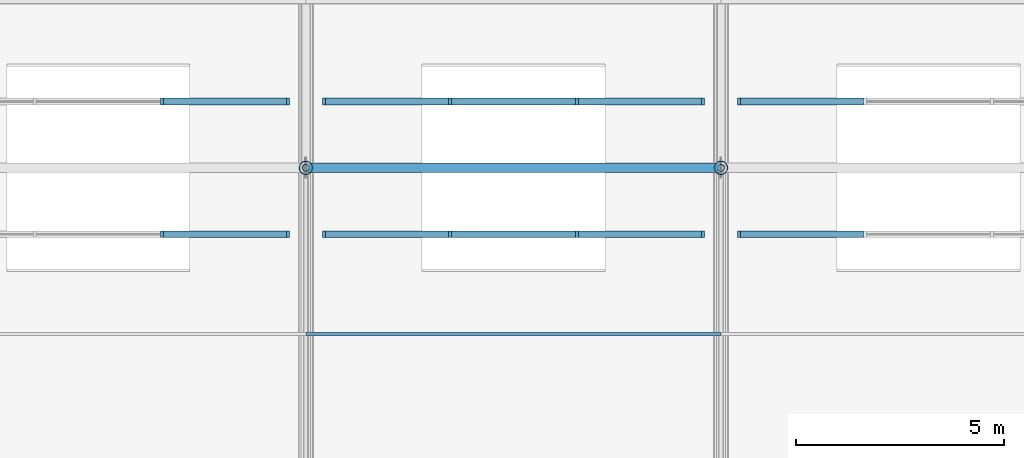
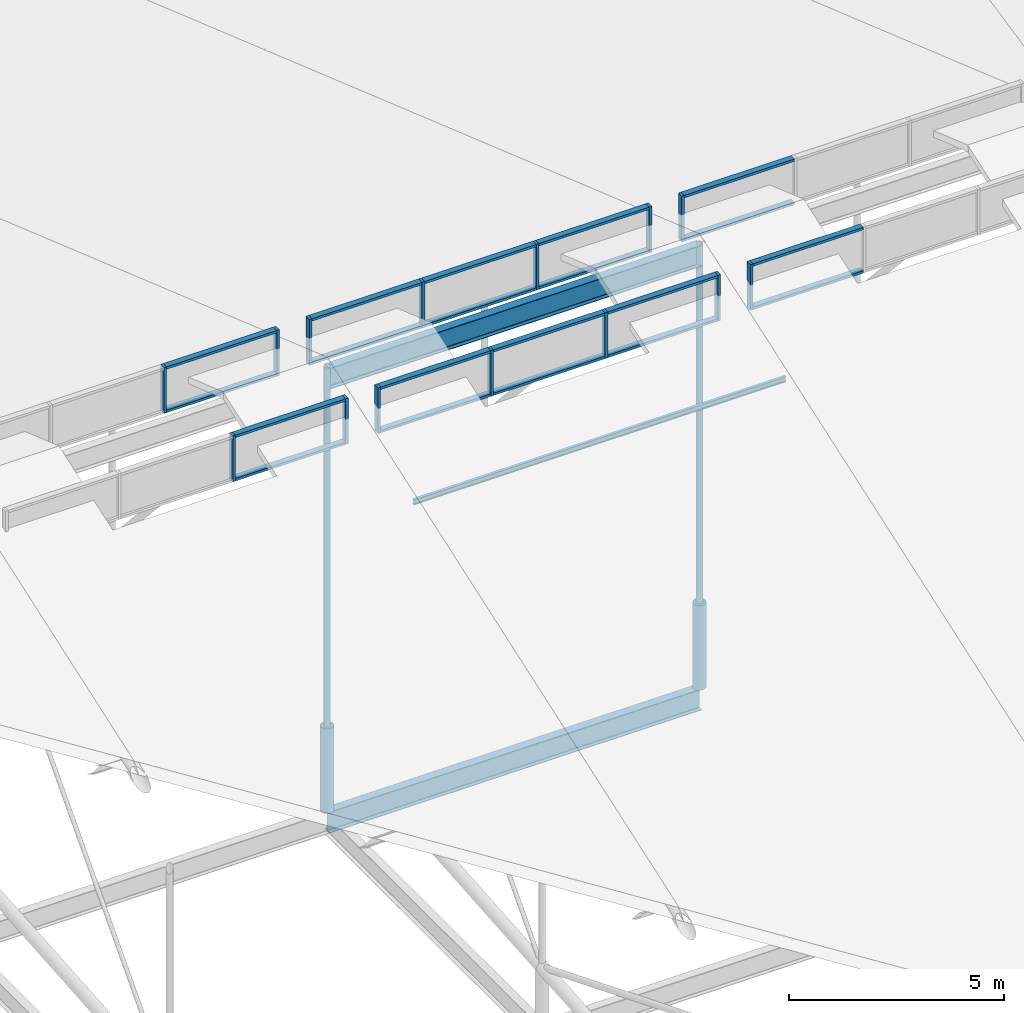
# One storey, part 41 of 93: 39 members, 2 beams, 6 elements without a shape of their own.
"""IFC4 building model written with IfcOpenShell, lengths in metres."""

from ifc_helpers import new_model, si_unit, derived_unit, direction, frame, origin, origin_2d_with_axis, place, context, subcontext, project, spatial, rectangle, hollow_circle, i_section, extrude, material, material_profile, profile_set, type_object, element, aggregate, save


model = new_model("IFC4")

# Units and contexts
model_context = context("Model", 3, precision=1e-05, world=origin(), true_north=direction((0.0, 1.0)))
body_context = subcontext(model_context, "Body", "Model", "MODEL_VIEW")
ifc_project = project(units=[si_unit("LENGTHUNIT", "METRE"), si_unit("AREAUNIT", "SQUARE_METRE"), si_unit("VOLUMEUNIT", "CUBIC_METRE"), si_unit("PLANEANGLEUNIT", "RADIAN"), si_unit("MASSUNIT", "GRAM", prefix="KILO"), derived_unit("THERMALTRANSMITTANCEUNIT", [(si_unit("POWERUNIT", "WATT"), 1), (si_unit("LENGTHUNIT", "METRE"), -2), (si_unit("THERMODYNAMICTEMPERATUREUNIT", "KELVIN"), -1)])], contexts=[model_context])

# Site, building, storey
site_placement = place(None, origin())
site = spatial("IfcSite", under=ifc_project, at=site_placement, CompositionType="ELEMENT")
building_placement = place(site_placement, origin())
building = spatial("IfcBuilding", under=site, at=building_placement, Name="Cinnabar Yard Market Hall", CompositionType="ELEMENT")
storey_placement = place(building_placement, frame((0.0, 0.0, 23.800048828125)))
storey = spatial("IfcBuildingStorey", under=building, at=storey_placement, Name="ROOF", CompositionType="ELEMENT", Elevation=23.800048828125)

# Beams
ifc_material_1 = material(Name="Steel Grade 300 (300 MPa)", Category="steel")
ifc_material_profile_1 = material_profile(ifc_material_1, i_section(OverallWidth=0.22802734375, OverallDepth=0.60205078125, WebThickness=0.010498046875, FlangeThickness=0.014892578125, FilletRadius=0.013916015625, at=origin_2d_with_axis()), Name="610UB101")
ifc_profile_set_1 = profile_set([ifc_material_profile_1], Name="Steel Grade 300 (300 MPa)")
beam_type = type_object("IfcBeamType", Name="BM-B02", PredefinedType="BEAM", material=ifc_profile_set_1)
for number, where, z_axis, x_axis, name in (
    (1, (126.0, 44.0, -9.700927734375), (1.0, 0.0, 0.0), (0.0, 1.0, 0.0), "Hall Longitudinal Tie Girder 00393"),
    (2, (126.0, 44.0, 2.89892578125), (1.0, 0.0, 0.0), (0.0, 1.0, 0.0), "Market Hall Ridge Girder 01596"),
):
    element("IfcBeam", number, at=place(storey_placement, frame(where, z_axis=z_axis, x_axis=x_axis)), inside=storey, type_object=beam_type, Name=name, PredefinedType="BEAM", context=body_context, shape_type="SweptSolid", body=[
        extrude(i_section(OverallWidth=0.22802734375, OverallDepth=0.60205078125, WebThickness=0.010498046875, FlangeThickness=0.014892578125, FilletRadius=0.013916015625, at=origin_2d_with_axis()), origin(), (0.0, 0.0, 1.0), 10.0),
    ])

# Curtain wall, members
ifc_material_2 = material(Name="Anodised aluminium ridge clerestory", Category="aluminium")
curtain_wall_type = type_object("IfcCurtainWallType", Name="CW-CWR092x13", PredefinedType="NOTDEFINED", material=ifc_material_2)
curtain_wall_1_placement = place(storey_placement, origin())
curtain_wall_1 = element("IfcCurtainWall", 3, at=curtain_wall_1_placement, inside=storey, type_object=curtain_wall_type, Name="South Ridge Clerestory 4", PredefinedType="NOTDEFINED")
ifc_material_3 = material(Name="Anodised bronze aluminium", Category="aluminium")
ifc_material_profile_2 = material_profile(ifc_material_3, rectangle(XDim=0.159912109375, YDim=0.070068359375, at=origin_2d_with_axis()), Name="MUL-CWR")
ifc_profile_set_2 = profile_set([ifc_material_profile_2], Name="Anodised bronze aluminium")
member_type_1 = type_object("IfcMemberType", Name="CWM-CWR", PredefinedType="MULLION", material=ifc_profile_set_2)
member_1_placement = place(storey_placement, frame((122.533447265625, 42.39990234375, 2.14990234375), z_axis=(0.0, 0.0, 1.0), x_axis=(0.0, 1.0, 0.0)))
member_1 = element("IfcMember", 4, at=member_1_placement, type_object=member_type_1, Name="CWR092x13 mullion 3", PredefinedType="MULLION", context=body_context, shape_type="SweptSolid", body=[
    extrude(rectangle(XDim=0.159912109375, YDim=0.070068359375, at=origin_2d_with_axis()), origin(), (0.0, 0.0, 1.0), 1.300048828125),
])
member_2_placement = place(storey_placement, frame((125.56494140625, 42.39990234375, 2.14990234375), z_axis=(0.0, 0.0, 1.0), x_axis=(0.0, 1.0, 0.0)))
member_2 = element("IfcMember", 5, at=member_2_placement, type_object=member_type_1, Name="CWR092x13 mullion 4", PredefinedType="MULLION", context=body_context, shape_type="SweptSolid", body=[
    extrude(rectangle(XDim=0.159912109375, YDim=0.070068359375, at=origin_2d_with_axis()), origin(), (0.0, 0.0, 1.0), 1.300048828125),
])

curtain_wall_2_placement = place(storey_placement, origin())
curtain_wall_2 = element("IfcCurtainWall", 6, at=curtain_wall_2_placement, inside=storey, type_object=curtain_wall_type, Name="North Ridge Clerestory 4", PredefinedType="NOTDEFINED")
member_3_placement = place(storey_placement, frame((125.56494140625, 45.60009765625, 2.14990234375), z_axis=(0.0, 0.0, 1.0), x_axis=(0.0, -1.0, 0.0)))
member_3 = element("IfcMember", 7, at=member_3_placement, type_object=member_type_1, Name="CWR092x13 mullion 1", PredefinedType="MULLION", context=body_context, shape_type="SweptSolid", body=[
    extrude(rectangle(XDim=0.159912109375, YDim=0.070068359375, at=origin_2d_with_axis()), origin(), (0.0, 0.0, 1.0), 1.300048828125),
])
member_4_placement = place(storey_placement, frame((122.533447265625, 45.60009765625, 2.14990234375), z_axis=(0.0, 0.0, 1.0), x_axis=(0.0, -1.0, 0.0)))
member_4 = element("IfcMember", 8, at=member_4_placement, type_object=member_type_1, Name="CWR092x13 mullion 2", PredefinedType="MULLION", context=body_context, shape_type="SweptSolid", body=[
    extrude(rectangle(XDim=0.159912109375, YDim=0.070068359375, at=origin_2d_with_axis()), origin(), (0.0, 0.0, 1.0), 1.300048828125),
])

curtain_wall_3_placement = place(storey_placement, origin())
curtain_wall_3 = element("IfcCurtainWall", 9, at=curtain_wall_3_placement, inside=storey, type_object=curtain_wall_type, Name="South Ridge Clerestory 5", PredefinedType="NOTDEFINED")
member_5_placement = place(storey_placement, frame((126.43505859375, 42.39990234375, 2.14990234375), z_axis=(0.0, 0.0, 1.0), x_axis=(0.0, 1.0, 0.0)))
member_5 = element("IfcMember", 10, at=member_5_placement, type_object=member_type_1, Name="CWR092x13 mullion 1", PredefinedType="MULLION", context=body_context, shape_type="SweptSolid", body=[
    extrude(rectangle(XDim=0.159912109375, YDim=0.070068359375, at=origin_2d_with_axis()), origin(), (0.0, 0.0, 1.0), 1.300048828125),
])
member_6_placement = place(storey_placement, frame((129.466552734375, 42.39990234375, 2.14990234375), z_axis=(0.0, 0.0, 1.0), x_axis=(0.0, 1.0, 0.0)))
member_6 = element("IfcMember", 11, at=member_6_placement, type_object=member_type_1, Name="CWR092x13 mullion 2", PredefinedType="MULLION", context=body_context, shape_type="SweptSolid", body=[
    extrude(rectangle(XDim=0.159912109375, YDim=0.070068359375, at=origin_2d_with_axis()), origin(), (0.0, 0.0, 1.0), 1.300048828125),
])
member_7_placement = place(storey_placement, frame((132.533447265625, 42.39990234375, 2.14990234375), z_axis=(0.0, 0.0, 1.0), x_axis=(0.0, 1.0, 0.0)))
member_7 = element("IfcMember", 12, at=member_7_placement, type_object=member_type_1, Name="CWR092x13 mullion 3", PredefinedType="MULLION", context=body_context, shape_type="SweptSolid", body=[
    extrude(rectangle(XDim=0.159912109375, YDim=0.070068359375, at=origin_2d_with_axis()), origin(), (0.0, 0.0, 1.0), 1.300048828125),
])
member_8_placement = place(storey_placement, frame((135.56494140625, 42.39990234375, 2.14990234375), z_axis=(0.0, 0.0, 1.0), x_axis=(0.0, 1.0, 0.0)))
member_8 = element("IfcMember", 13, at=member_8_placement, type_object=member_type_1, Name="CWR092x13 mullion 4", PredefinedType="MULLION", context=body_context, shape_type="SweptSolid", body=[
    extrude(rectangle(XDim=0.159912109375, YDim=0.070068359375, at=origin_2d_with_axis()), origin(), (0.0, 0.0, 1.0), 1.300048828125),
])

curtain_wall_4_placement = place(storey_placement, origin())
curtain_wall_4 = element("IfcCurtainWall", 14, at=curtain_wall_4_placement, inside=storey, type_object=curtain_wall_type, Name="North Ridge Clerestory 5", PredefinedType="NOTDEFINED")
member_9_placement = place(storey_placement, frame((135.56494140625, 45.60009765625, 2.14990234375), z_axis=(0.0, 0.0, 1.0), x_axis=(0.0, -1.0, 0.0)))
member_9 = element("IfcMember", 15, at=member_9_placement, type_object=member_type_1, Name="CWR092x13 mullion 1", PredefinedType="MULLION", context=body_context, shape_type="SweptSolid", body=[
    extrude(rectangle(XDim=0.159912109375, YDim=0.070068359375, at=origin_2d_with_axis()), origin(), (0.0, 0.0, 1.0), 1.300048828125),
])
member_10_placement = place(storey_placement, frame((132.533447265625, 45.60009765625, 2.14990234375), z_axis=(0.0, 0.0, 1.0), x_axis=(0.0, -1.0, 0.0)))
member_10 = element("IfcMember", 16, at=member_10_placement, type_object=member_type_1, Name="CWR092x13 mullion 2", PredefinedType="MULLION", context=body_context, shape_type="SweptSolid", body=[
    extrude(rectangle(XDim=0.159912109375, YDim=0.070068359375, at=origin_2d_with_axis()), origin(), (0.0, 0.0, 1.0), 1.300048828125),
])
member_11_placement = place(storey_placement, frame((129.466552734375, 45.60009765625, 2.14990234375), z_axis=(0.0, 0.0, 1.0), x_axis=(0.0, -1.0, 0.0)))
member_11 = element("IfcMember", 17, at=member_11_placement, type_object=member_type_1, Name="CWR092x13 mullion 3", PredefinedType="MULLION", context=body_context, shape_type="SweptSolid", body=[
    extrude(rectangle(XDim=0.159912109375, YDim=0.070068359375, at=origin_2d_with_axis()), origin(), (0.0, 0.0, 1.0), 1.300048828125),
])
member_12_placement = place(storey_placement, frame((126.43505859375, 45.60009765625, 2.14990234375), z_axis=(0.0, 0.0, 1.0), x_axis=(0.0, -1.0, 0.0)))
member_12 = element("IfcMember", 18, at=member_12_placement, type_object=member_type_1, Name="CWR092x13 mullion 4", PredefinedType="MULLION", context=body_context, shape_type="SweptSolid", body=[
    extrude(rectangle(XDim=0.159912109375, YDim=0.070068359375, at=origin_2d_with_axis()), origin(), (0.0, 0.0, 1.0), 1.300048828125),
])

# Curtain wall, member
curtain_wall_5_placement = place(storey_placement, origin())
curtain_wall_5 = element("IfcCurtainWall", 19, at=curtain_wall_5_placement, inside=storey, type_object=curtain_wall_type, Name="South Ridge Clerestory 6", PredefinedType="NOTDEFINED")
member_13_placement = place(storey_placement, frame((136.43505859375, 42.39990234375, 2.14990234375), z_axis=(0.0, 0.0, 1.0), x_axis=(0.0, 1.0, 0.0)))
member_13 = element("IfcMember", 20, at=member_13_placement, type_object=member_type_1, Name="CWR092x13 mullion 1", PredefinedType="MULLION", context=body_context, shape_type="SweptSolid", body=[
    extrude(rectangle(XDim=0.159912109375, YDim=0.070068359375, at=origin_2d_with_axis()), origin(), (0.0, 0.0, 1.0), 1.300048828125),
])

curtain_wall_6_placement = place(storey_placement, origin())
curtain_wall_6 = element("IfcCurtainWall", 21, at=curtain_wall_6_placement, inside=storey, type_object=curtain_wall_type, Name="North Ridge Clerestory 6", PredefinedType="NOTDEFINED")
member_14_placement = place(storey_placement, frame((136.43505859375, 45.60009765625, 2.14990234375), z_axis=(0.0, 0.0, 1.0), x_axis=(0.0, -1.0, 0.0)))
member_14 = element("IfcMember", 22, at=member_14_placement, type_object=member_type_1, Name="CWR092x13 mullion 4", PredefinedType="MULLION", context=body_context, shape_type="SweptSolid", body=[
    extrude(rectangle(XDim=0.159912109375, YDim=0.070068359375, at=origin_2d_with_axis()), origin(), (0.0, 0.0, 1.0), 1.300048828125),
])

# Member
ifc_material_profile_3 = material_profile(ifc_material_3, rectangle(XDim=0.159912109375, YDim=0.070068359375, at=origin_2d_with_axis()), Name="TRN-CWR")
ifc_profile_set_3 = profile_set([ifc_material_profile_3], Name="Anodised bronze aluminium")
member_type_2 = type_object("IfcMemberType", Name="CWT-CWR", PredefinedType="USERDEFINED", material=ifc_profile_set_3)
member_15_placement = place(storey_placement, frame((122.568359375, 42.39990234375, 2.18505859375), z_axis=(1.0, 0.0, 0.0), x_axis=(0.0, 1.0, 0.0)))
member_15 = element("IfcMember", 23, at=member_15_placement, type_object=member_type_2, Name="CWR092x13 transom 3.1", ObjectType="TRANSOM", PredefinedType="USERDEFINED", context=body_context, shape_type="SweptSolid", body=[
    extrude(rectangle(XDim=0.159912109375, YDim=0.070068359375, at=origin_2d_with_axis()), origin(), (0.0, 0.0, 1.0), 2.961669921875),
])

member_16_placement = place(storey_placement, frame((122.568359375, 42.39990234375, 3.4150390625), z_axis=(1.0, 0.0, 0.0), x_axis=(0.0, 1.0, 0.0)))
member_16 = element("IfcMember", 24, at=member_16_placement, type_object=member_type_2, Name="CWR092x13 transom 3.2", ObjectType="TRANSOM", PredefinedType="USERDEFINED", context=body_context, shape_type="SweptSolid", body=[
    extrude(rectangle(XDim=0.159912109375, YDim=0.070068359375, at=origin_2d_with_axis()), origin(), (0.0, 0.0, 1.0), 2.961669921875),
])

aggregate(curtain_wall_1, [member_1, member_2, member_15, member_16])

member_17_placement = place(storey_placement, frame((125.530029296875, 45.60009765625, 2.18505859375), z_axis=(-1.0, 0.0, 0.0), x_axis=(0.0, -1.0, 0.0)))
member_17 = element("IfcMember", 25, at=member_17_placement, type_object=member_type_2, Name="CWR092x13 transom 1.1", ObjectType="TRANSOM", PredefinedType="USERDEFINED", context=body_context, shape_type="SweptSolid", body=[
    extrude(rectangle(XDim=0.159912109375, YDim=0.070068359375, at=origin_2d_with_axis()), origin(), (0.0, 0.0, 1.0), 2.961669921875),
])

member_18_placement = place(storey_placement, frame((125.530029296875, 45.60009765625, 3.4150390625), z_axis=(-1.0, 0.0, 0.0), x_axis=(0.0, -1.0, 0.0)))
member_18 = element("IfcMember", 26, at=member_18_placement, type_object=member_type_2, Name="CWR092x13 transom 1.2", ObjectType="TRANSOM", PredefinedType="USERDEFINED", context=body_context, shape_type="SweptSolid", body=[
    extrude(rectangle(XDim=0.159912109375, YDim=0.070068359375, at=origin_2d_with_axis()), origin(), (0.0, 0.0, 1.0), 2.961669921875),
])

aggregate(curtain_wall_2, [member_3, member_4, member_17, member_18])

member_19_placement = place(storey_placement, frame((126.469970703125, 42.39990234375, 2.18505859375), z_axis=(1.0, 0.0, 0.0), x_axis=(0.0, 1.0, 0.0)))
member_19 = element("IfcMember", 27, at=member_19_placement, type_object=member_type_2, Name="CWR092x13 transom 1.1", ObjectType="TRANSOM", PredefinedType="USERDEFINED", context=body_context, shape_type="SweptSolid", body=[
    extrude(rectangle(XDim=0.159912109375, YDim=0.070068359375, at=origin_2d_with_axis()), origin(), (0.0, 0.0, 1.0), 2.961669921875),
])

member_20_placement = place(storey_placement, frame((126.469970703125, 42.39990234375, 3.4150390625), z_axis=(1.0, 0.0, 0.0), x_axis=(0.0, 1.0, 0.0)))
member_20 = element("IfcMember", 28, at=member_20_placement, type_object=member_type_2, Name="CWR092x13 transom 1.2", ObjectType="TRANSOM", PredefinedType="USERDEFINED", context=body_context, shape_type="SweptSolid", body=[
    extrude(rectangle(XDim=0.159912109375, YDim=0.070068359375, at=origin_2d_with_axis()), origin(), (0.0, 0.0, 1.0), 2.961669921875),
])

member_21_placement = place(storey_placement, frame((129.501708984375, 42.39990234375, 2.18505859375), z_axis=(1.0, 0.0, 0.0), x_axis=(0.0, 1.0, 0.0)))
member_21 = element("IfcMember", 29, at=member_21_placement, type_object=member_type_2, Name="CWR092x13 transom 2.1", ObjectType="TRANSOM", PredefinedType="USERDEFINED", context=body_context, shape_type="SweptSolid", body=[
    extrude(rectangle(XDim=0.159912109375, YDim=0.070068359375, at=origin_2d_with_axis()), origin(), (0.0, 0.0, 1.0), 2.99658203125),
])

member_22_placement = place(storey_placement, frame((129.501708984375, 42.39990234375, 3.4150390625), z_axis=(1.0, 0.0, 0.0), x_axis=(0.0, 1.0, 0.0)))
member_22 = element("IfcMember", 30, at=member_22_placement, type_object=member_type_2, Name="CWR092x13 transom 2.2", ObjectType="TRANSOM", PredefinedType="USERDEFINED", context=body_context, shape_type="SweptSolid", body=[
    extrude(rectangle(XDim=0.159912109375, YDim=0.070068359375, at=origin_2d_with_axis()), origin(), (0.0, 0.0, 1.0), 2.99658203125),
])

member_23_placement = place(storey_placement, frame((132.568359375, 42.39990234375, 2.18505859375), z_axis=(1.0, 0.0, 0.0), x_axis=(0.0, 1.0, 0.0)))
member_23 = element("IfcMember", 31, at=member_23_placement, type_object=member_type_2, Name="CWR092x13 transom 3.1", ObjectType="TRANSOM", PredefinedType="USERDEFINED", context=body_context, shape_type="SweptSolid", body=[
    extrude(rectangle(XDim=0.159912109375, YDim=0.070068359375, at=origin_2d_with_axis()), origin(), (0.0, 0.0, 1.0), 2.961669921875),
])

member_24_placement = place(storey_placement, frame((132.568359375, 42.39990234375, 3.4150390625), z_axis=(1.0, 0.0, 0.0), x_axis=(0.0, 1.0, 0.0)))
member_24 = element("IfcMember", 32, at=member_24_placement, type_object=member_type_2, Name="CWR092x13 transom 3.2", ObjectType="TRANSOM", PredefinedType="USERDEFINED", context=body_context, shape_type="SweptSolid", body=[
    extrude(rectangle(XDim=0.159912109375, YDim=0.070068359375, at=origin_2d_with_axis()), origin(), (0.0, 0.0, 1.0), 2.961669921875),
])

aggregate(curtain_wall_3, [member_5, member_6, member_7, member_8, member_19, member_20, member_21, member_22, member_23, member_24])

member_25_placement = place(storey_placement, frame((135.530029296875, 45.60009765625, 2.18505859375), z_axis=(-1.0, 0.0, 0.0), x_axis=(0.0, -1.0, 0.0)))
member_25 = element("IfcMember", 33, at=member_25_placement, type_object=member_type_2, Name="CWR092x13 transom 1.1", ObjectType="TRANSOM", PredefinedType="USERDEFINED", context=body_context, shape_type="SweptSolid", body=[
    extrude(rectangle(XDim=0.159912109375, YDim=0.070068359375, at=origin_2d_with_axis()), origin(), (0.0, 0.0, 1.0), 2.961669921875),
])

member_26_placement = place(storey_placement, frame((135.530029296875, 45.60009765625, 3.4150390625), z_axis=(-1.0, 0.0, 0.0), x_axis=(0.0, -1.0, 0.0)))
member_26 = element("IfcMember", 34, at=member_26_placement, type_object=member_type_2, Name="CWR092x13 transom 1.2", ObjectType="TRANSOM", PredefinedType="USERDEFINED", context=body_context, shape_type="SweptSolid", body=[
    extrude(rectangle(XDim=0.159912109375, YDim=0.070068359375, at=origin_2d_with_axis()), origin(), (0.0, 0.0, 1.0), 2.961669921875),
])

member_27_placement = place(storey_placement, frame((132.498291015625, 45.60009765625, 2.18505859375), z_axis=(-1.0, 0.0, 0.0), x_axis=(0.0, -1.0, 0.0)))
member_27 = element("IfcMember", 35, at=member_27_placement, type_object=member_type_2, Name="CWR092x13 transom 2.1", ObjectType="TRANSOM", PredefinedType="USERDEFINED", context=body_context, shape_type="SweptSolid", body=[
    extrude(rectangle(XDim=0.159912109375, YDim=0.070068359375, at=origin_2d_with_axis()), origin(), (0.0, 0.0, 1.0), 2.99658203125),
])

member_28_placement = place(storey_placement, frame((132.498291015625, 45.60009765625, 3.4150390625), z_axis=(-1.0, 0.0, 0.0), x_axis=(0.0, -1.0, 0.0)))
member_28 = element("IfcMember", 36, at=member_28_placement, type_object=member_type_2, Name="CWR092x13 transom 2.2", ObjectType="TRANSOM", PredefinedType="USERDEFINED", context=body_context, shape_type="SweptSolid", body=[
    extrude(rectangle(XDim=0.159912109375, YDim=0.070068359375, at=origin_2d_with_axis()), origin(), (0.0, 0.0, 1.0), 2.99658203125),
])

member_29_placement = place(storey_placement, frame((129.431640625, 45.60009765625, 2.18505859375), z_axis=(-1.0, 0.0, 0.0), x_axis=(0.0, -1.0, 0.0)))
member_29 = element("IfcMember", 37, at=member_29_placement, type_object=member_type_2, Name="CWR092x13 transom 3.1", ObjectType="TRANSOM", PredefinedType="USERDEFINED", context=body_context, shape_type="SweptSolid", body=[
    extrude(rectangle(XDim=0.159912109375, YDim=0.070068359375, at=origin_2d_with_axis()), origin(), (0.0, 0.0, 1.0), 2.961669921875),
])

member_30_placement = place(storey_placement, frame((129.431640625, 45.60009765625, 3.4150390625), z_axis=(-1.0, 0.0, 0.0), x_axis=(0.0, -1.0, 0.0)))
member_30 = element("IfcMember", 38, at=member_30_placement, type_object=member_type_2, Name="CWR092x13 transom 3.2", ObjectType="TRANSOM", PredefinedType="USERDEFINED", context=body_context, shape_type="SweptSolid", body=[
    extrude(rectangle(XDim=0.159912109375, YDim=0.070068359375, at=origin_2d_with_axis()), origin(), (0.0, 0.0, 1.0), 2.961669921875),
])

aggregate(curtain_wall_4, [member_9, member_10, member_11, member_12, member_25, member_26, member_27, member_28, member_29, member_30])

member_31_placement = place(storey_placement, frame((136.469970703125, 42.39990234375, 2.18505859375), z_axis=(1.0, 0.0, 0.0), x_axis=(0.0, 1.0, 0.0)))
member_31 = element("IfcMember", 39, at=member_31_placement, type_object=member_type_2, Name="CWR092x13 transom 1.1", ObjectType="TRANSOM", PredefinedType="USERDEFINED", context=body_context, shape_type="SweptSolid", body=[
    extrude(rectangle(XDim=0.159912109375, YDim=0.070068359375, at=origin_2d_with_axis()), origin(), (0.0, 0.0, 1.0), 2.961669921875),
])

member_32_placement = place(storey_placement, frame((136.469970703125, 42.39990234375, 3.4150390625), z_axis=(1.0, 0.0, 0.0), x_axis=(0.0, 1.0, 0.0)))
member_32 = element("IfcMember", 40, at=member_32_placement, type_object=member_type_2, Name="CWR092x13 transom 1.2", ObjectType="TRANSOM", PredefinedType="USERDEFINED", context=body_context, shape_type="SweptSolid", body=[
    extrude(rectangle(XDim=0.159912109375, YDim=0.070068359375, at=origin_2d_with_axis()), origin(), (0.0, 0.0, 1.0), 2.961669921875),
])

aggregate(curtain_wall_5, [member_13, member_31, member_32])

member_33_placement = place(storey_placement, frame((139.431640625, 45.60009765625, 2.18505859375), z_axis=(-1.0, 0.0, 0.0), x_axis=(0.0, -1.0, 0.0)))
member_33 = element("IfcMember", 41, at=member_33_placement, type_object=member_type_2, Name="CWR092x13 transom 3.1", ObjectType="TRANSOM", PredefinedType="USERDEFINED", context=body_context, shape_type="SweptSolid", body=[
    extrude(rectangle(XDim=0.159912109375, YDim=0.070068359375, at=origin_2d_with_axis()), origin(), (0.0, 0.0, 1.0), 2.961669921875),
])

member_34_placement = place(storey_placement, frame((139.431640625, 45.60009765625, 3.4150390625), z_axis=(-1.0, 0.0, 0.0), x_axis=(0.0, -1.0, 0.0)))
member_34 = element("IfcMember", 42, at=member_34_placement, type_object=member_type_2, Name="CWR092x13 transom 3.2", ObjectType="TRANSOM", PredefinedType="USERDEFINED", context=body_context, shape_type="SweptSolid", body=[
    extrude(rectangle(XDim=0.159912109375, YDim=0.070068359375, at=origin_2d_with_axis()), origin(), (0.0, 0.0, 1.0), 2.961669921875),
])

aggregate(curtain_wall_6, [member_14, member_33, member_34])

# Members
ifc_material_profile_4 = material_profile(ifc_material_1, i_section(OverallWidth=0.074951171875, OverallDepth=0.14990234375, WebThickness=0.0048828125, FlangeThickness=0.007080078125, FilletRadius=0.008056640625, at=origin_2d_with_axis()), Name="150UB14.0")
ifc_profile_set_4 = profile_set([ifc_material_profile_4], Name="Steel Grade 300 (300 MPa)")
member_type_3 = type_object("IfcMemberType", Name="MB-PU07", PredefinedType="PURLIN", material=ifc_profile_set_4)
member_35_placement = place(storey_placement, frame((126.0, 40.0, 1.767578125), z_axis=(1.0, 0.0, 0.0), x_axis=(0.0, 1.0, 0.0)))
element("IfcMember", 43, at=member_35_placement, inside=storey, type_object=member_type_3, Name="Hall Roof Purlin Y40 X126", PredefinedType="PURLIN", context=body_context, shape_type="SweptSolid", body=[
    extrude(i_section(OverallWidth=0.074951171875, OverallDepth=0.14990234375, WebThickness=0.0048828125, FlangeThickness=0.007080078125, FilletRadius=0.008056640625, at=origin_2d_with_axis()), origin(), (0.0, 0.0, 1.0), 10.0),
])
ifc_material_4 = material(Name="Spotted-gum glulam-clad steel Grade 350 (350 MPa)", Category="steel")
ifc_material_profile_5 = material_profile(ifc_material_4, hollow_circle(Radius=0.161865234375, WallThickness=0.009521484375, at=origin_2d_with_axis()), Name="323.9x9.5CHS")
ifc_profile_set_5 = profile_set([ifc_material_profile_5], Name="Spotted-gum glulam-clad steel Grade 350 (350 MPa)")
member_type_4 = type_object("IfcMemberType", Name="MB-ST01", PredefinedType="STRUT", material=ifc_profile_set_5)
for number, where, z_axis, x_axis, name in (
    (44, (126.0, 44.0, -9.400146484375), (0.0, 0.0, 1.0), (1.0, 0.0, 0.0), "Truss Bearing Post 126-44"),
    (45, (136.0, 44.0, -9.400146484375), (0.0, 0.0, 1.0), (1.0, 0.0, 0.0), "Truss Bearing Post 136-44"),
):
    element("IfcMember", number, at=place(storey_placement, frame(where, z_axis=z_axis, x_axis=x_axis)), inside=storey, type_object=member_type_4, Name=name, PredefinedType="STRUT", context=body_context, shape_type="SweptSolid", body=[
        extrude(hollow_circle(Radius=0.161865234375, WallThickness=0.009521484375, at=origin_2d_with_axis()), origin(), (0.0, 0.0, 1.0), 2.400146484375),
    ])
ifc_material_5 = material(Name="Cold-formed steel C350L0", Category="steel")
ifc_material_profile_6 = material_profile(ifc_material_5, hollow_circle(Radius=0.084228515625, WallThickness=0.00634765625, at=origin_2d_with_axis()), Name="168.3x6.4CHS")
ifc_profile_set_6 = profile_set([ifc_material_profile_6], Name="Cold-formed steel C350L0")
member_type_5 = type_object("IfcMemberType", Name="MB-WB01", PredefinedType="STRUT", material=ifc_profile_set_6)
for number, where, z_axis, x_axis, name in (
    (46, (126.0, 44.0, -7.0), (0.0, 0.0, 1.0), (1.0, 0.0, 0.0), "Hall Truss 126 Post 3"),
    (47, (136.0, 44.0, -7.0), (0.0, 0.0, 1.0), (1.0, 0.0, 0.0), "Hall Truss 136 Post 3"),
):
    element("IfcMember", number, at=place(storey_placement, frame(where, z_axis=z_axis, x_axis=x_axis)), inside=storey, type_object=member_type_5, Name=name, PredefinedType="STRUT", context=body_context, shape_type="SweptSolid", body=[
        extrude(hollow_circle(Radius=0.084228515625, WallThickness=0.00634765625, at=origin_2d_with_axis()), origin(), (0.0, 0.0, 1.0), 10.199951171875),
    ])

save(model, "model.ifc")
